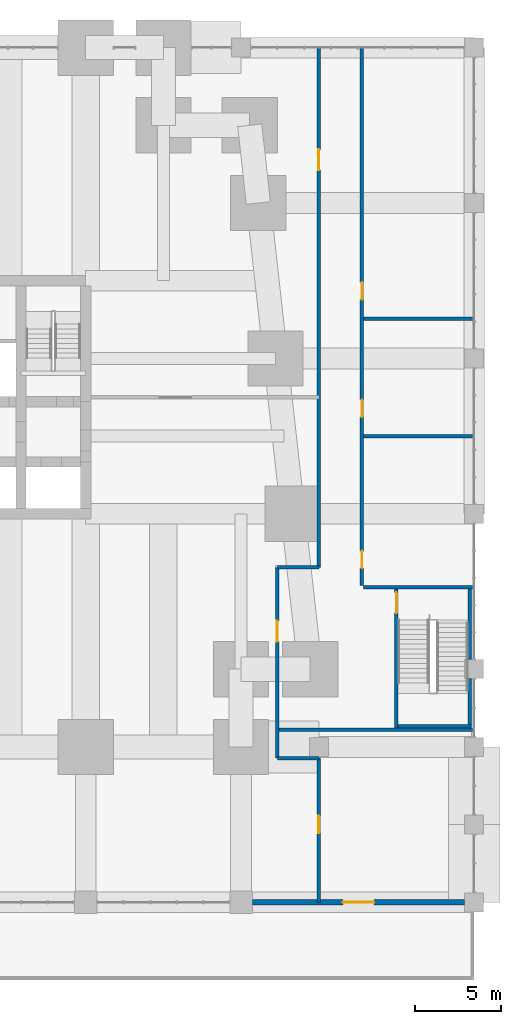
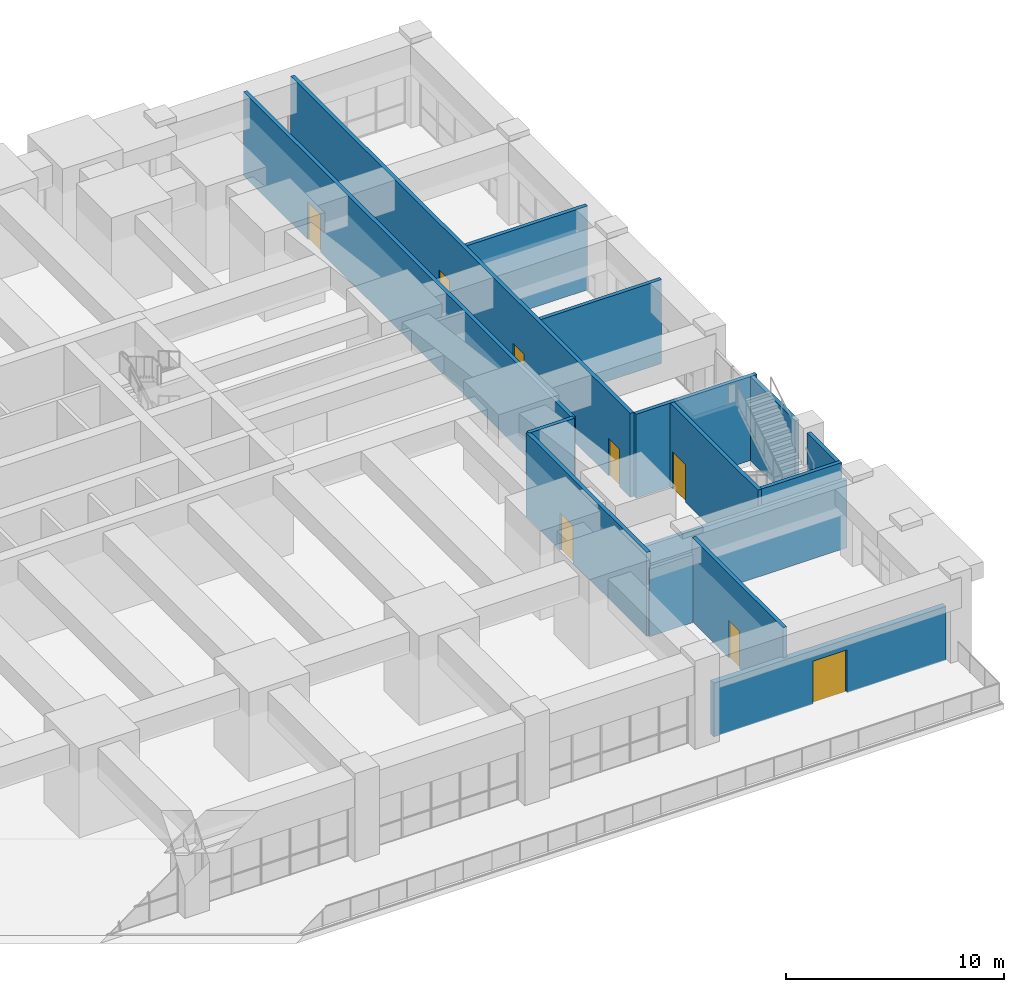
# One storey, part 23 of 27: 15 walls, 8 doors, 8 openings.
"""IFC4 building model written with IfcOpenShell, lengths in metres."""

from ifc_helpers import new_model, si_unit, direction, frame, frame_2d, origin, place, context, subcontext, project, spatial, rectangle, extrude, material, layer, layer_set, type_object, element, fill, save


model = new_model("IFC4")

# Units and contexts
model_context = context("Model", 3, precision=1e-05, world=origin(), true_north=direction((0.0, 1.0)))
body_context = subcontext(model_context, "Body", "Model", "MODEL_VIEW")
ifc_project = project(units=[si_unit("LENGTHUNIT", "METRE"), si_unit("AREAUNIT", "SQUARE_METRE"), si_unit("VOLUMEUNIT", "CUBIC_METRE"), si_unit("PLANEANGLEUNIT", "RADIAN"), si_unit("MASSUNIT", "GRAM", prefix="KILO")], contexts=[model_context])

# Site, building, storey
site_placement = place(None, origin())
site = spatial("IfcSite", under=ifc_project, at=site_placement, CompositionType="ELEMENT")
building_placement = place(site_placement, origin())
building = spatial("IfcBuilding", under=site, at=building_placement, Name="Kilele Tower Hotel", CompositionType="ELEMENT")
storey_placement = place(building_placement, frame((0.0, 0.0, 6.0)))
storey = spatial("IfcBuildingStorey", under=building, at=storey_placement, Name="L01", CompositionType="ELEMENT", Elevation=6.0)

# Wall, opening, door
ifc_material_1 = material(Name="Blockwork, plastered both sides", Category="masonry")
ifc_layer_1 = layer(ifc_material_1, 0.199951171875)
ifc_layer_set_1 = layer_set([ifc_layer_1], Name="Blockwork, plastered both sides")
wall_type_1 = type_object("IfcWallType", Name="Partition wall 200", PredefinedType="PARTITIONING", material=ifc_layer_set_1)
wall_1_placement = place(storey_placement, frame((49.5, -9.0, 0.0), z_axis=(0.0, 0.0, 1.0), x_axis=(0.0, 1.0, 0.0)))
wall_1 = element("IfcWall", 1, at=wall_1_placement, inside=storey, type_object=wall_type_1, Name="Partition wall 200 L01", PredefinedType="PARTITIONING", context=body_context, shape_type="SweptSolid", body=[
    extrude(rectangle(XDim=8.35009765625, YDim=0.199951171875, at=frame_2d((4.175048828125, 0.0))), origin(), (0.0, 0.0, 1.0), 4.699951171875),
])
opening_1_placement = place(wall_1_placement, frame((4.0, 0.0, 0.0)))
opening_1 = element("IfcOpeningElement", 2, at=opening_1_placement, cuts=wall_1, Name="Opening D8", PredefinedType="OPENING", context=body_context, shape_type="SweptSolid", body=[
    extrude(rectangle(XDim=1.0, YDim=2.10009765625, at=frame_2d((0.5, 1.050048828125))), frame((0.0, 0.10986328125, 0.0), z_axis=(0.0, -1.0, 0.0), x_axis=(1.0, 0.0, 0.0)), (0.0, 0.0, 1.0), 0.219970703125),
])
ifc_material_2 = material(Name="Timber door leaf in hardwood frame", Category="wood")
door_type_1 = type_object("IfcDoorType", Name="Door 1000", OperationType="SINGLE_SWING_LEFT", PredefinedType="DOOR", material=ifc_material_2)
door_1_placement = place(opening_1_placement, origin())
door_1 = element("IfcDoor", 3, at=door_1_placement, inside=storey, type_object=door_type_1, Name="Door private dining room", OperationType="SINGLE_SWING_RIGHT", OverallHeight=2.10009765625, OverallWidth=1.0, PredefinedType="DOOR", context=body_context, shape_type="SweptSolid", body=[
    extrude(rectangle(XDim=1.0, YDim=2.10009765625, at=frame_2d((0.5, 1.050048828125))), frame((0.0, 0.02490234375, 0.0), z_axis=(0.0, -1.0, 0.0), x_axis=(1.0, 0.0, 0.0)), (0.0, 0.0, 1.0), 0.050048828125),
])
fill(opening_1, door_1)

# Wall
wall_2_placement = place(storey_placement, frame((47.10009765625, -0.64990234375, 0.0), z_axis=(0.0, 0.0, 1.0), x_axis=(1.0, 0.0, 0.0)))
element("IfcWall", 4, at=wall_2_placement, inside=storey, type_object=wall_type_1, Name="Partition wall 200 L01", PredefinedType="PARTITIONING", context=body_context, shape_type="SweptSolid", body=[
    extrude(rectangle(XDim=2.39990234375, YDim=0.199951171875, at=frame_2d((1.199951171875, 0.0))), origin(), (0.0, 0.0, 1.0), 3.800048828125),
])

# Wall, opening, door
wall_3_placement = place(storey_placement, frame((47.10009765625, -0.64990234375, 0.0), z_axis=(0.0, 0.0, 1.0), x_axis=(0.0, 1.0, 0.0)))
wall_3 = element("IfcWall", 5, at=wall_3_placement, inside=storey, type_object=wall_type_1, Name="Partition wall 200 L01", PredefinedType="PARTITIONING", context=body_context, shape_type="SweptSolid", body=[
    extrude(rectangle(XDim=11.0498046875, YDim=0.199951171875, at=frame_2d((5.52490234375, 0.0))), origin(), (0.0, 0.0, 1.0), 4.699951171875),
])
opening_2_placement = place(wall_3_placement, frame((7.949951171875, 0.0, 0.0), z_axis=(0.0, 0.0, 1.0), x_axis=(-1.0, 0.0, 0.0)))
opening_2 = element("IfcOpeningElement", 6, at=opening_2_placement, cuts=wall_3, Name="Opening D8A", PredefinedType="OPENING", context=body_context, shape_type="SweptSolid", body=[
    extrude(rectangle(XDim=1.199951171875, YDim=2.10009765625, at=frame_2d((0.60009765625, 1.050048828125))), frame((0.0, 0.10986328125, 0.0), z_axis=(0.0, -1.0, 0.0), x_axis=(1.0, 0.0, 0.0)), (0.0, 0.0, 1.0), 0.219970703125),
])
ifc_material_3 = material(Name="Timber door leaf in hardwood frame", Category="wood")
door_type_2 = type_object("IfcDoorType", Name="Door 1200", OperationType="SINGLE_SWING_LEFT", PredefinedType="DOOR", material=ifc_material_3)
door_2_placement = place(opening_2_placement, origin())
door_2 = element("IfcDoor", 7, at=door_2_placement, inside=storey, type_object=door_type_2, Name="Door service corridor", OperationType="SINGLE_SWING_LEFT", OverallHeight=2.10009765625, OverallWidth=1.199951171875, PredefinedType="DOOR", context=body_context, shape_type="SweptSolid", body=[
    extrude(rectangle(XDim=1.199951171875, YDim=2.10009765625, at=frame_2d((0.60009765625, 1.050048828125))), frame((0.0, 0.02490234375, 0.0), z_axis=(0.0, -1.0, 0.0), x_axis=(1.0, 0.0, 0.0)), (0.0, 0.0, 1.0), 0.050048828125),
])
fill(opening_2, door_2)

# Wall
wall_4_placement = place(storey_placement, frame((47.10009765625, 10.39990234375, 0.0), z_axis=(0.0, 0.0, 1.0), x_axis=(1.0, 0.0, 0.0)))
element("IfcWall", 8, at=wall_4_placement, inside=storey, type_object=wall_type_1, Name="Partition wall 200 L01", PredefinedType="PARTITIONING", context=body_context, shape_type="SweptSolid", body=[
    extrude(rectangle(XDim=2.39990234375, YDim=0.199951171875, at=frame_2d((1.199951171875, 0.0))), origin(), (0.0, 0.0, 1.0), 4.699951171875),
])

# Wall, opening, door
wall_5_placement = place(storey_placement, frame((49.5, 10.39990234375, 0.0), z_axis=(0.0, 0.0, 1.0), x_axis=(0.0, 1.0, 0.0)))
wall_5 = element("IfcWall", 9, at=wall_5_placement, inside=storey, type_object=wall_type_1, Name="Partition wall 200 L01", PredefinedType="PARTITIONING", context=body_context, shape_type="SweptSolid", body=[
    extrude(rectangle(XDim=30.10009765625, YDim=0.199951171875, at=frame_2d((15.050048828125, 0.0))), origin(), (0.0, 0.0, 1.0), 4.699951171875),
])
opening_3_placement = place(wall_5_placement, frame((23.0, 0.0, 0.0)))
opening_3 = element("IfcOpeningElement", 10, at=opening_3_placement, cuts=wall_5, Name="Opening D8A", PredefinedType="OPENING", context=body_context, shape_type="SweptSolid", body=[
    extrude(rectangle(XDim=1.199951171875, YDim=2.10009765625, at=frame_2d((0.60009765625, 1.050048828125))), frame((0.0, 0.10986328125, 0.0), z_axis=(0.0, -1.0, 0.0), x_axis=(1.0, 0.0, 0.0)), (0.0, 0.0, 1.0), 0.219970703125),
])
door_3_placement = place(opening_3_placement, origin())
door_3 = element("IfcDoor", 11, at=door_3_placement, inside=storey, type_object=door_type_2, Name="Door lobby bar to service corridor", OperationType="SINGLE_SWING_RIGHT", OverallHeight=2.10009765625, OverallWidth=1.199951171875, PredefinedType="DOOR", context=body_context, shape_type="SweptSolid", body=[
    extrude(rectangle(XDim=1.199951171875, YDim=2.10009765625, at=frame_2d((0.60009765625, 1.050048828125))), frame((0.0, 0.02490234375, 0.0), z_axis=(0.0, -1.0, 0.0), x_axis=(1.0, 0.0, 0.0)), (0.0, 0.0, 1.0), 0.050048828125),
])
fill(opening_3, door_3)

# Wall, openings, doors
wall_6_placement = place(storey_placement, frame((52.0, 9.35009765625, 0.0), z_axis=(0.0, 0.0, 1.0), x_axis=(0.0, 1.0, 0.0)))
wall_6 = element("IfcWall", 12, at=wall_6_placement, inside=storey, type_object=wall_type_1, Name="Partition wall 200 L01", PredefinedType="PARTITIONING", context=body_context, shape_type="SweptSolid", body=[
    extrude(rectangle(XDim=31.14990234375, YDim=0.199951171875, at=frame_2d((15.574951171875, 0.0))), origin(), (0.0, 0.0, 1.0), 4.699951171875),
])
opening_4_placement = place(wall_6_placement, frame((2.0, 0.0, 0.0), z_axis=(0.0, 0.0, 1.0), x_axis=(-1.0, 0.0, 0.0)))
opening_4 = element("IfcOpeningElement", 13, at=opening_4_placement, cuts=wall_6, Name="Opening D7", PredefinedType="OPENING", context=body_context, shape_type="SweptSolid", body=[
    extrude(rectangle(XDim=1.0, YDim=2.10009765625, at=frame_2d((0.5, 1.050048828125))), frame((0.0, 0.10986328125, 0.0), z_axis=(0.0, -1.0, 0.0), x_axis=(1.0, 0.0, 0.0)), (0.0, 0.0, 1.0), 0.219970703125),
])
opening_5_placement = place(wall_6_placement, frame((10.75, 0.0, 0.0), z_axis=(0.0, 0.0, 1.0), x_axis=(-1.0, 0.0, 0.0)))
opening_5 = element("IfcOpeningElement", 14, at=opening_5_placement, cuts=wall_6, Name="Opening D8", PredefinedType="OPENING", context=body_context, shape_type="SweptSolid", body=[
    extrude(rectangle(XDim=1.0, YDim=2.10009765625, at=frame_2d((0.5, 1.050048828125))), frame((0.0, 0.10986328125, 0.0), z_axis=(0.0, -1.0, 0.0), x_axis=(1.0, 0.0, 0.0)), (0.0, 0.0, 1.0), 0.219970703125),
])
opening_6_placement = place(wall_6_placement, frame((17.550048828125, 0.0, 0.0), z_axis=(0.0, 0.0, 1.0), x_axis=(-1.0, 0.0, 0.0)))
opening_6 = element("IfcOpeningElement", 15, at=opening_6_placement, cuts=wall_6, Name="Opening D8", PredefinedType="OPENING", context=body_context, shape_type="SweptSolid", body=[
    extrude(rectangle(XDim=1.0, YDim=2.10009765625, at=frame_2d((0.5, 1.050048828125))), frame((0.0, 0.10986328125, 0.0), z_axis=(0.0, -1.0, 0.0), x_axis=(1.0, 0.0, 0.0)), (0.0, 0.0, 1.0), 0.219970703125),
])
door_4_placement = place(opening_5_placement, origin())
door_4 = element("IfcDoor", 16, at=door_4_placement, inside=storey, type_object=door_type_1, Name="Door Staff WC", OperationType="SINGLE_SWING_RIGHT", OverallHeight=2.10009765625, OverallWidth=1.0, PredefinedType="DOOR", context=body_context, shape_type="SweptSolid", body=[
    extrude(rectangle(XDim=1.0, YDim=2.10009765625, at=frame_2d((0.5, 1.050048828125))), frame((0.0, 0.02490234375, 0.0), z_axis=(0.0, -1.0, 0.0), x_axis=(1.0, 0.0, 0.0)), (0.0, 0.0, 1.0), 0.050048828125),
])
fill(opening_5, door_4)
door_5_placement = place(opening_6_placement, origin())
door_5 = element("IfcDoor", 17, at=door_5_placement, inside=storey, type_object=door_type_1, Name="Door Restaurant kitchen", OperationType="SINGLE_SWING_RIGHT", OverallHeight=2.10009765625, OverallWidth=1.0, PredefinedType="DOOR", context=body_context, shape_type="SweptSolid", body=[
    extrude(rectangle(XDim=1.0, YDim=2.10009765625, at=frame_2d((0.5, 1.050048828125))), frame((0.0, 0.02490234375, 0.0), z_axis=(0.0, -1.0, 0.0), x_axis=(1.0, 0.0, 0.0)), (0.0, 0.0, 1.0), 0.050048828125),
])
fill(opening_6, door_5)
ifc_material_4 = material(Name="Timber door leaf in hardwood frame", Category="wood")
door_type_3 = type_object("IfcDoorType", Name="Plant room door 1000", OperationType="SINGLE_SWING_LEFT", PredefinedType="DOOR", material=ifc_material_4)
door_6_placement = place(opening_4_placement, origin())
door_6 = element("IfcDoor", 18, at=door_6_placement, inside=storey, type_object=door_type_3, Name="Door Kitchen store", OperationType="SINGLE_SWING_RIGHT", OverallHeight=2.10009765625, OverallWidth=1.0, PredefinedType="DOOR", context=body_context, shape_type="SweptSolid", body=[
    extrude(rectangle(XDim=1.0, YDim=2.10009765625, at=frame_2d((0.5, 1.050048828125))), frame((0.0, 0.02490234375, 0.0), z_axis=(0.0, -1.0, 0.0), x_axis=(1.0, 0.0, 0.0)), (0.0, 0.0, 1.0), 0.050048828125),
])
fill(opening_4, door_6)

# Walls
wall_7_placement = place(storey_placement, frame((47.10009765625, 1.0, 0.0), z_axis=(0.0, 0.0, 1.0), x_axis=(1.0, 0.0, 0.0)))
element("IfcWall", 19, at=wall_7_placement, inside=storey, type_object=wall_type_1, Name="Partition wall 200 L01", PredefinedType="PARTITIONING", context=body_context, shape_type="SweptSolid", body=[
    extrude(rectangle(XDim=11.39990234375, YDim=0.199951171875, at=frame_2d((5.699951171875, 0.0))), origin(), (0.0, 0.0, 1.0), 3.800048828125),
])
for number, where, z_axis, x_axis, name in (
    (20, (52.10009765625, 18.0, 0.0), (0.0, 0.0, 1.0), (1.0, 0.0, 0.0), "Partition wall 200 L01"),
    (21, (52.10009765625, 24.800048828125, 0.0), (0.0, 0.0, 1.0), (1.0, 0.0, 0.0), "Partition wall 200 L01"),
):
    element("IfcWall", number, at=place(storey_placement, frame(where, z_axis=z_axis, x_axis=x_axis)), inside=storey, type_object=wall_type_1, Name=name, PredefinedType="PARTITIONING", context=body_context, shape_type="SweptSolid", body=[
        extrude(rectangle(XDim=6.39990234375, YDim=0.199951171875, at=frame_2d((3.199951171875, 0.0))), origin(), (0.0, 0.0, 1.0), 4.699951171875),
    ])

# Wall, opening, door
ifc_material_5 = material(Name="Concrete C40/50 precast", Category="concrete")
ifc_layer_2 = layer(ifc_material_5, 0.260009765625, Name="Precast backing", Category="LoadBearing")
ifc_material_6 = material(Name="Reconstituted stone finish", Category="masonry")
ifc_layer_3 = layer(ifc_material_6, 0.0400390625, Name="Face mix", Category="Finish")
ifc_layer_set_2 = layer_set([ifc_layer_2, ifc_layer_3], Name="Precast concrete C40/50, reconstituted stone finish")
wall_type_2 = type_object("IfcWallType", Name="Precast stone facade wall 300", PredefinedType="STANDARD", material=ifc_layer_set_2)
wall_8_placement = place(storey_placement, frame((45.64990234375, -9.0, 0.0), z_axis=(0.0, 0.0, 1.0), x_axis=(1.0, 0.0, 0.0)))
wall_8 = element("IfcWall", 22, at=wall_8_placement, inside=storey, type_object=wall_type_2, Name="Podium terrace wall L01", PredefinedType="STANDARD", context=body_context, shape_type="SweptSolid", body=[
    extrude(rectangle(XDim=12.300048828125, YDim=0.300048828125, at=frame_2d((6.14990234375, 0.0))), origin(), (0.0, 0.0, 1.0), 3.0),
])
opening_7_placement = place(wall_8_placement, frame((5.25, 0.0, 0.0)))
opening_7 = element("IfcOpeningElement", 23, at=opening_7_placement, cuts=wall_8, Name="Opening TD2", PredefinedType="OPENING", context=body_context, shape_type="SweptSolid", body=[
    extrude(rectangle(XDim=1.800048828125, YDim=2.39990234375, at=frame_2d((0.89990234375, 1.199951171875))), frame((0.0, 0.159912109375, 0.0), z_axis=(0.0, -1.0, 0.0), x_axis=(1.0, 0.0, 0.0)), (0.0, 0.0, 1.0), 0.320068359375),
])
ifc_material_7 = material(Name="Aluminium frame, clear glazing", Category="aluminium")
door_type_4 = type_object("IfcDoorType", Name="Terrace door 1800", OperationType="DOUBLE_DOOR_SINGLE_SWING", PredefinedType="DOOR", material=ifc_material_7)
door_7_placement = place(opening_7_placement, origin())
door_7 = element("IfcDoor", 24, at=door_7_placement, inside=storey, type_object=door_type_4, Name="Terrace door", OperationType="DOUBLE_DOOR_SINGLE_SWING", OverallHeight=2.39990234375, OverallWidth=1.800048828125, PredefinedType="DOOR", context=body_context, shape_type="SweptSolid", body=[
    extrude(rectangle(XDim=1.800048828125, YDim=2.39990234375, at=frame_2d((0.89990234375, 1.199951171875))), frame((0.0, 0.02490234375, 0.0), z_axis=(0.0, -1.0, 0.0), x_axis=(1.0, 0.0, 0.0)), (0.0, 0.0, 1.0), 0.050048828125),
])
fill(opening_7, door_7)

ifc_material_8 = material(Name="Concrete C40/50", Category="concrete")
ifc_layer_4 = layer(ifc_material_8, 0.199951171875)
ifc_layer_set_3 = layer_set([ifc_layer_4], Name="Concrete C40/50")
wall_type_3 = type_object("IfcWallType", Name="Stair wall RC 200 C40/50", PredefinedType="SOLIDWALL", material=ifc_layer_set_3)
wall_9_placement = place(storey_placement, frame((54.0, 1.10009765625, 0.0), z_axis=(0.0, 0.0, 1.0), x_axis=(0.0, 1.0, 0.0)))
wall_9 = element("IfcWall", 25, at=wall_9_placement, inside=storey, type_object=wall_type_3, Name="Stair wall RC 200 C40/50 L01", PredefinedType="SOLIDWALL", context=body_context, shape_type="SweptSolid", body=[
    extrude(rectangle(XDim=8.0498046875, YDim=0.199951171875, at=frame_2d((4.02490234375, 0.0))), origin(), (0.0, 0.0, 1.0), 4.699951171875),
])
opening_8_placement = place(wall_9_placement, frame((7.849853515625, 0.0, 0.0), z_axis=(0.0, 0.0, 1.0), x_axis=(-1.0, 0.0, 0.0)))
opening_8 = element("IfcOpeningElement", 26, at=opening_8_placement, cuts=wall_9, Name="Opening D5A", PredefinedType="OPENING", context=body_context, shape_type="SweptSolid", body=[
    extrude(rectangle(XDim=1.199951171875, YDim=2.10009765625, at=frame_2d((0.60009765625, 1.050048828125))), frame((0.0, 0.10986328125, 0.0), z_axis=(0.0, -1.0, 0.0), x_axis=(1.0, 0.0, 0.0)), (0.0, 0.0, 1.0), 0.219970703125),
])
ifc_material_9 = material(Name="Timber door leaf in hardwood frame", Category="wood")
door_type_5 = type_object("IfcDoorType", Name="Stair door 1200", OperationType="SINGLE_SWING_LEFT", PredefinedType="DOOR", material=ifc_material_9)
door_8_placement = place(opening_8_placement, origin())
door_8 = element("IfcDoor", 27, at=door_8_placement, inside=storey, type_object=door_type_5, Name="Stair 5 door", OperationType="SINGLE_SWING_LEFT", OverallHeight=2.10009765625, OverallWidth=1.199951171875, PredefinedType="DOOR", context=body_context, shape_type="SweptSolid", body=[
    extrude(rectangle(XDim=1.199951171875, YDim=2.10009765625, at=frame_2d((0.60009765625, 1.050048828125))), frame((0.0, 0.02490234375, 0.0), z_axis=(0.0, -1.0, 0.0), x_axis=(1.0, 0.0, 0.0)), (0.0, 0.0, 1.0), 0.050048828125),
])
fill(opening_8, door_8)

# Walls
wall_10_placement = place(storey_placement, frame((52.10009765625, 9.25, 0.0), z_axis=(0.0, 0.0, 1.0), x_axis=(1.0, 0.0, 0.0)))
element("IfcWall", 28, at=wall_10_placement, inside=storey, type_object=wall_type_3, Name="Stair wall RC 200 C40/50 L01", PredefinedType="SOLIDWALL", context=body_context, shape_type="SweptSolid", body=[
    extrude(rectangle(XDim=6.39990234375, YDim=0.199951171875, at=frame_2d((3.199951171875, 0.0))), origin(), (0.0, 0.0, 1.0), 4.699951171875),
])
wall_11_placement = place(storey_placement, frame((54.10009765625, 1.199951171875, 0.0), z_axis=(0.0, 0.0, 1.0), x_axis=(1.0, 0.0, 0.0)))
element("IfcWall", 29, at=wall_11_placement, inside=storey, type_object=wall_type_3, Name="Stair wall RC 200 C40/50 L01", PredefinedType="SOLIDWALL", context=body_context, shape_type="SweptSolid", body=[
    extrude(rectangle(XDim=4.25, YDim=0.199951171875, at=frame_2d((2.125, 0.0))), origin(), (0.0, 0.0, 1.0), 4.699951171875),
])
wall_12_placement = place(storey_placement, frame((58.25, 1.300048828125, 0.0), z_axis=(0.0, 0.0, 1.0), x_axis=(0.0, 1.0, 0.0)))
element("IfcWall", 30, at=wall_12_placement, inside=storey, type_object=wall_type_3, Name="Stair wall RC 200 C40/50 L01", PredefinedType="SOLIDWALL", context=body_context, shape_type="SweptSolid", body=[
    extrude(rectangle(XDim=2.64990234375, YDim=0.199951171875, at=frame_2d((1.324951171875, 0.0))), origin(), (0.0, 0.0, 1.0), 4.699951171875),
])
wall_13_placement = place(storey_placement, frame((58.25, 5.050048828125, 0.0), z_axis=(0.0, 0.0, 1.0), x_axis=(0.0, 1.0, 0.0)))
element("IfcWall", 31, at=wall_13_placement, inside=storey, type_object=wall_type_3, Name="Stair wall RC 200 C40/50 L01", PredefinedType="SOLIDWALL", context=body_context, shape_type="SweptSolid", body=[
    extrude(rectangle(XDim=4.099853515625, YDim=0.199951171875, at=frame_2d((2.0498046875, 0.0))), origin(), (0.0, 0.0, 1.0), 4.699951171875),
])

save(model, "model.ifc")
